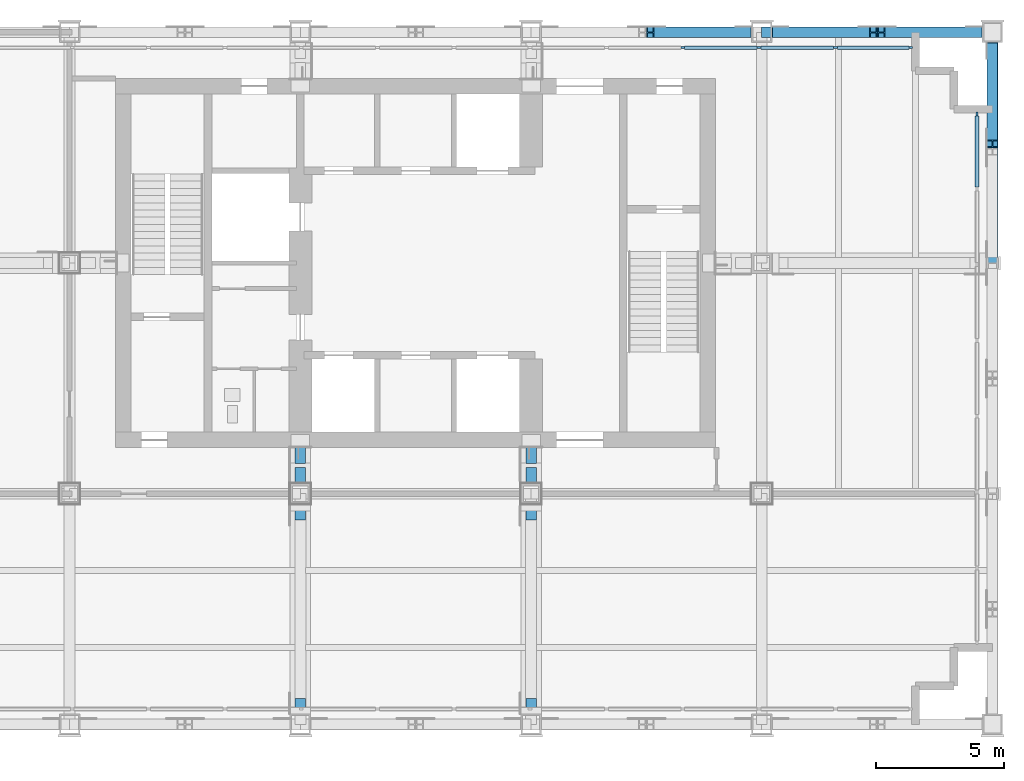
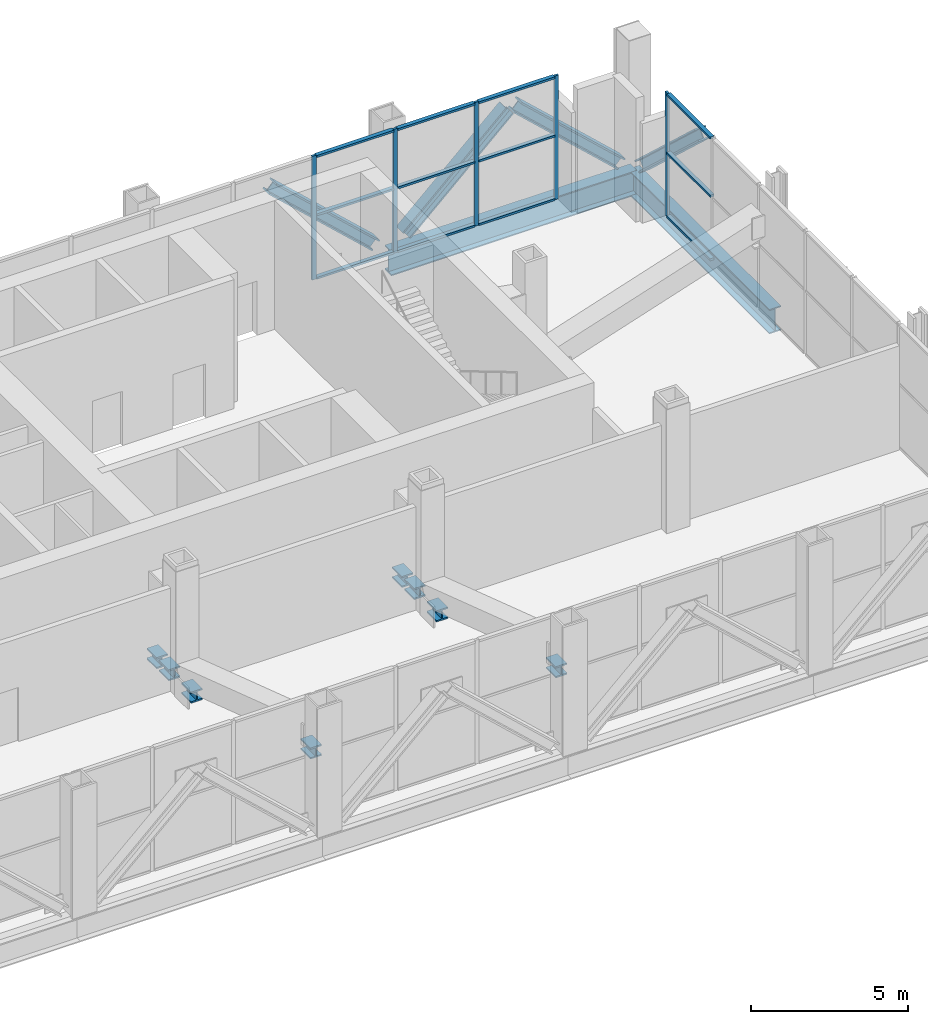
# One storey, part 6 of 13: 29 members, 2 beams, 2 elements without a shape of their own.
"""IFC4 building model written with IfcOpenShell, lengths in metres."""

from ifc_helpers import new_model, si_unit, direction, frame, origin, origin_2d, place, context, subcontext, project, spatial, rectangle, i_section, extrude, material, material_profile, profile_set, type_object, element, aggregate, save


model = new_model("IFC4")

# Units and contexts
model_context = context("Model", 3, precision=1e-05, world=origin(), true_north=direction((0.0, 1.0)))
body_context = subcontext(model_context, "Body", "Model", "MODEL_VIEW")
ifc_project = project(units=[si_unit("LENGTHUNIT", "METRE"), si_unit("AREAUNIT", "SQUARE_METRE"), si_unit("VOLUMEUNIT", "CUBIC_METRE"), si_unit("PLANEANGLEUNIT", "RADIAN"), si_unit("MASSUNIT", "GRAM", prefix="KILO")], contexts=[model_context])

# Site, building, storey
site_placement = place(None, origin())
site = spatial("IfcSite", under=ifc_project, at=site_placement, CompositionType="ELEMENT")
building_placement = place(site_placement, origin())
building = spatial("IfcBuilding", under=site, at=building_placement, Name="Loomwork Tower", CompositionType="ELEMENT")
storey_placement = place(building_placement, frame((0.0, 0.0, 221.60009765625)))
storey = spatial("IfcBuildingStorey", under=building, at=storey_placement, Name="L61", CompositionType="ELEMENT", Elevation=221.60009765625)

# Beams
ifc_material_1 = material(Name="Steel ASTM A992", Category="steel")
ifc_material_profile_1 = material_profile(ifc_material_1, i_section(OverallWidth=0.424072265625, OverallDepth=0.947509765625, WebThickness=0.02392578125, FlangeThickness=0.042724609375, at=origin_2d()), Name="W36x302")
ifc_profile_set_1 = profile_set([ifc_material_profile_1], Name="Steel ASTM A992")
beam_type = type_object("IfcBeamType", Name="BELT CHORD SPANDREL W36x302", PredefinedType="SPANDREL", material=ifc_profile_set_1)
for number, where, z_axis, x_axis, name in (
    (1, (36.0, 27.0, -0.723876953125), (1.0, 0.0, 0.0), (0.0, 1.0, 0.0), "Belt Chord Spandrel G/6-G/7 L61"),
    (2, (45.0, 18.0, -0.723876953125), (0.0, 1.0, 0.0), (-1.0, 0.0, 0.0), "Belt Chord Spandrel F/7-G/7 L61"),
):
    element("IfcBeam", number, at=place(storey_placement, frame(where, z_axis=z_axis, x_axis=x_axis)), inside=storey, type_object=beam_type, Name=name, PredefinedType="SPANDREL", context=body_context, shape_type="SweptSolid", body=[
        extrude(i_section(OverallWidth=0.424072265625, OverallDepth=0.947509765625, WebThickness=0.02392578125, FlangeThickness=0.042724609375, at=origin_2d()), origin(), (0.0, 0.0, 1.0), 9.0),
    ])

# Members
ifc_material_2 = material(Name="Steel ASTM A992", Category="steel")
ifc_material_profile_2 = material_profile(ifc_material_2, i_section(OverallWidth=0.411376953125, OverallDepth=0.434326171875, WebThickness=0.035888671875, FlangeThickness=0.057373046875, at=origin_2d()), Name="W14x311")
ifc_profile_set_2 = profile_set([ifc_material_profile_2], Name="Steel ASTM A992")
member_type_1 = type_object("IfcMemberType", Name="BELT TRUSS DIAGONAL W14x311", PredefinedType="BRACE", material=ifc_profile_set_2)
for number, where, z_axis, x_axis, name in (
    (3, (35.4423828125, 27.0, 0.169189453125), (-0.732985346521, 0.0, 0.680244427971), (0.0, -1.0, 0.0), "Belt truss diagonal G/5-G/6 L61"),
    (4, (36.5576171875, 27.0, 0.169189453125), (0.732985346521, 0.0, 0.680244427971), (0.0, 1.0, 0.0), "Belt truss diagonal G/6-G/7 L61"),
    (5, (44.4423828125, 27.0, 0.169189453125), (-0.732985346521, 0.0, 0.680244427971), (0.0, -1.0, 0.0), "Belt truss diagonal G/6-G/7 L61"),
    (6, (45.0, 26.4423828125, 0.169189453125), (0.0, -0.732985346521, 0.680244427971), (1.0, 0.0, 0.0), "Belt truss diagonal F/7-G/7 L61"),
):
    element("IfcMember", number, at=place(storey_placement, frame(where, z_axis=z_axis, x_axis=x_axis)), inside=storey, type_object=member_type_1, Name=name, PredefinedType="BRACE", context=body_context, shape_type="SweptSolid", body=[
        extrude(i_section(OverallWidth=0.411376953125, OverallDepth=0.434326171875, WebThickness=0.035888671875, FlangeThickness=0.057373046875, at=origin_2d()), origin(), (0.0, 0.0, 1.0), 5.166015625),
    ])

# Curtain wall, member
ifc_material_3 = material(Name="Aluminium louvre frame", Category="aluminium")
curtain_wall_type = type_object("IfcCurtainWallType", Name="Plant floor louvre screen", PredefinedType="NOTDEFINED", material=ifc_material_3)
curtain_wall_1_placement = place(storey_placement, origin())
curtain_wall_1 = element("IfcCurtainWall", 7, at=curtain_wall_1_placement, inside=storey, type_object=curtain_wall_type, Name="Plant floor louvre screen cw/E", PredefinedType="NOTDEFINED")
ifc_material_4 = material(Name="Aluminium louvre frame", Category="aluminium")
ifc_material_profile_3 = material_profile(ifc_material_4, rectangle(XDim=0.080078125, YDim=0.14990234375, at=origin_2d()), Name="AL 80x150")
ifc_profile_set_3 = profile_set([ifc_material_profile_3], Name="Aluminium louvre frame")
member_type_2 = type_object("IfcMemberType", Name="Plant floor louvre screen mullion", PredefinedType="MULLION", material=ifc_profile_set_3)
member_1_placement = place(storey_placement, frame((44.39990234375, 23.81005859375, 0.0), z_axis=(0.0, 0.0, 1.0), x_axis=(-1.0, 0.0, 0.0)))
member_1 = element("IfcMember", 8, at=member_1_placement, type_object=member_type_2, Name="CW4 mullion 8", PredefinedType="MULLION", context=body_context, shape_type="SweptSolid", body=[
    extrude(rectangle(XDim=0.080078125, YDim=0.14990234375, at=origin_2d()), origin(), (0.0, 0.0, 1.0), 4.7998046875),
])

# Curtain wall, members
curtain_wall_2_placement = place(storey_placement, origin())
curtain_wall_2 = element("IfcCurtainWall", 9, at=curtain_wall_2_placement, inside=storey, type_object=curtain_wall_type, Name="Plant floor louvre screen cw/N", PredefinedType="NOTDEFINED")
member_2_placement = place(storey_placement, frame((41.81005859375, 26.39990234375, 0.0), z_axis=(0.0, 0.0, 1.0), x_axis=(0.0, -1.0, 0.0)))
member_2 = element("IfcMember", 10, at=member_2_placement, type_object=member_type_2, Name="CW4 mullion 1", PredefinedType="MULLION", context=body_context, shape_type="SweptSolid", body=[
    extrude(rectangle(XDim=0.080078125, YDim=0.14990234375, at=origin_2d()), origin(), (0.0, 0.0, 1.0), 4.7998046875),
])
member_3_placement = place(storey_placement, frame((38.873046875, 26.39990234375, 0.0), z_axis=(0.0, 0.0, 1.0), x_axis=(0.0, -1.0, 0.0)))
member_3 = element("IfcMember", 11, at=member_3_placement, type_object=member_type_2, Name="CW4 mullion 2", PredefinedType="MULLION", context=body_context, shape_type="SweptSolid", body=[
    extrude(rectangle(XDim=0.080078125, YDim=0.14990234375, at=origin_2d()), origin(), (0.0, 0.0, 1.0), 4.7998046875),
])
member_4_placement = place(storey_placement, frame((35.896240234375, 26.39990234375, 0.0), z_axis=(0.0, 0.0, 1.0), x_axis=(0.0, -1.0, 0.0)))
member_4 = element("IfcMember", 12, at=member_4_placement, type_object=member_type_2, Name="CW4 mullion 3", PredefinedType="MULLION", context=body_context, shape_type="SweptSolid", body=[
    extrude(rectangle(XDim=0.080078125, YDim=0.14990234375, at=origin_2d()), origin(), (0.0, 0.0, 1.0), 4.7998046875),
])
member_5_placement = place(storey_placement, frame((32.919189453125, 26.39990234375, 0.0), z_axis=(0.0, 0.0, 1.0), x_axis=(0.0, -1.0, 0.0)))
member_5 = element("IfcMember", 13, at=member_5_placement, type_object=member_type_2, Name="CW4 mullion 4", PredefinedType="MULLION", context=body_context, shape_type="SweptSolid", body=[
    extrude(rectangle(XDim=0.080078125, YDim=0.14990234375, at=origin_2d()), origin(), (0.0, 0.0, 1.0), 4.7998046875),
])

# Member
ifc_material_5 = material(Name="Aluminium louvre frame", Category="aluminium")
ifc_material_profile_4 = material_profile(ifc_material_5, rectangle(XDim=0.14990234375, YDim=0.080078125, at=origin_2d()), Name="AL 80x150")
ifc_profile_set_4 = profile_set([ifc_material_profile_4], Name="Aluminium louvre frame")
member_type_3 = type_object("IfcMemberType", Name="Plant floor louvre screen transom", PredefinedType="USERDEFINED", material=ifc_profile_set_4)
member_6_placement = place(storey_placement, frame((44.39990234375, 20.9677734375, 0.039794921875), z_axis=(0.0, 1.0, 0.0), x_axis=(-1.0, 0.0, 0.0)))
member_6 = element("IfcMember", 14, at=member_6_placement, type_object=member_type_3, Name="CW4 transom 7.1", ObjectType="TRANSOM", PredefinedType="USERDEFINED", context=body_context, shape_type="SweptSolid", body=[
    extrude(rectangle(XDim=0.14990234375, YDim=0.080078125, at=origin_2d()), origin(), (0.0, 0.0, 1.0), 2.767333984375),
])

member_7_placement = place(storey_placement, frame((44.39990234375, 20.9677734375, 2.5), z_axis=(0.0, 1.0, 0.0), x_axis=(-1.0, 0.0, 0.0)))
member_7 = element("IfcMember", 15, at=member_7_placement, type_object=member_type_3, Name="CW4 transom 7.2", ObjectType="TRANSOM", PredefinedType="USERDEFINED", context=body_context, shape_type="SweptSolid", body=[
    extrude(rectangle(XDim=0.14990234375, YDim=0.080078125, at=origin_2d()), origin(), (0.0, 0.0, 1.0), 2.767333984375),
])

member_8_placement = place(storey_placement, frame((44.39990234375, 20.9677734375, 4.760009765625), z_axis=(0.0, 1.0, 0.0), x_axis=(-1.0, 0.0, 0.0)))
member_8 = element("IfcMember", 16, at=member_8_placement, type_object=member_type_3, Name="CW4 transom 7.3", ObjectType="TRANSOM", PredefinedType="USERDEFINED", context=body_context, shape_type="SweptSolid", body=[
    extrude(rectangle(XDim=0.14990234375, YDim=0.080078125, at=origin_2d()), origin(), (0.0, 0.0, 1.0), 2.767333984375),
])

aggregate(curtain_wall_1, [member_1, member_6, member_7, member_8])

member_9_placement = place(storey_placement, frame((41.735107421875, 26.39990234375, 0.039794921875), z_axis=(-1.0, 0.0, 0.0), x_axis=(0.0, -1.0, 0.0)))
member_9 = element("IfcMember", 17, at=member_9_placement, type_object=member_type_3, Name="CW4 transom 1.1", ObjectType="TRANSOM", PredefinedType="USERDEFINED", context=body_context, shape_type="SweptSolid", body=[
    extrude(rectangle(XDim=0.14990234375, YDim=0.080078125, at=origin_2d()), origin(), (0.0, 0.0, 1.0), 2.787109375),
])

member_10_placement = place(storey_placement, frame((41.735107421875, 26.39990234375, 2.5), z_axis=(-1.0, 0.0, 0.0), x_axis=(0.0, -1.0, 0.0)))
member_10 = element("IfcMember", 18, at=member_10_placement, type_object=member_type_3, Name="CW4 transom 1.2", ObjectType="TRANSOM", PredefinedType="USERDEFINED", context=body_context, shape_type="SweptSolid", body=[
    extrude(rectangle(XDim=0.14990234375, YDim=0.080078125, at=origin_2d()), origin(), (0.0, 0.0, 1.0), 2.787109375),
])

member_11_placement = place(storey_placement, frame((41.735107421875, 26.39990234375, 4.760009765625), z_axis=(-1.0, 0.0, 0.0), x_axis=(0.0, -1.0, 0.0)))
member_11 = element("IfcMember", 19, at=member_11_placement, type_object=member_type_3, Name="CW4 transom 1.3", ObjectType="TRANSOM", PredefinedType="USERDEFINED", context=body_context, shape_type="SweptSolid", body=[
    extrude(rectangle(XDim=0.14990234375, YDim=0.080078125, at=origin_2d()), origin(), (0.0, 0.0, 1.0), 2.787109375),
])

member_12_placement = place(storey_placement, frame((38.798095703125, 26.39990234375, 0.039794921875), z_axis=(-1.0, 0.0, 0.0), x_axis=(0.0, -1.0, 0.0)))
member_12 = element("IfcMember", 20, at=member_12_placement, type_object=member_type_3, Name="CW4 transom 2.1", ObjectType="TRANSOM", PredefinedType="USERDEFINED", context=body_context, shape_type="SweptSolid", body=[
    extrude(rectangle(XDim=0.14990234375, YDim=0.080078125, at=origin_2d()), origin(), (0.0, 0.0, 1.0), 2.826904296875),
])

member_13_placement = place(storey_placement, frame((38.798095703125, 26.39990234375, 2.5), z_axis=(-1.0, 0.0, 0.0), x_axis=(0.0, -1.0, 0.0)))
member_13 = element("IfcMember", 21, at=member_13_placement, type_object=member_type_3, Name="CW4 transom 2.2", ObjectType="TRANSOM", PredefinedType="USERDEFINED", context=body_context, shape_type="SweptSolid", body=[
    extrude(rectangle(XDim=0.14990234375, YDim=0.080078125, at=origin_2d()), origin(), (0.0, 0.0, 1.0), 2.826904296875),
])

member_14_placement = place(storey_placement, frame((38.798095703125, 26.39990234375, 4.760009765625), z_axis=(-1.0, 0.0, 0.0), x_axis=(0.0, -1.0, 0.0)))
member_14 = element("IfcMember", 22, at=member_14_placement, type_object=member_type_3, Name="CW4 transom 2.3", ObjectType="TRANSOM", PredefinedType="USERDEFINED", context=body_context, shape_type="SweptSolid", body=[
    extrude(rectangle(XDim=0.14990234375, YDim=0.080078125, at=origin_2d()), origin(), (0.0, 0.0, 1.0), 2.826904296875),
])

member_15_placement = place(storey_placement, frame((35.821044921875, 26.39990234375, 0.039794921875), z_axis=(-1.0, 0.0, 0.0), x_axis=(0.0, -1.0, 0.0)))
member_15 = element("IfcMember", 23, at=member_15_placement, type_object=member_type_3, Name="CW4 transom 3.1", ObjectType="TRANSOM", PredefinedType="USERDEFINED", context=body_context, shape_type="SweptSolid", body=[
    extrude(rectangle(XDim=0.14990234375, YDim=0.080078125, at=origin_2d()), origin(), (0.0, 0.0, 1.0), 2.826904296875),
])

member_16_placement = place(storey_placement, frame((35.821044921875, 26.39990234375, 2.5), z_axis=(-1.0, 0.0, 0.0), x_axis=(0.0, -1.0, 0.0)))
member_16 = element("IfcMember", 24, at=member_16_placement, type_object=member_type_3, Name="CW4 transom 3.2", ObjectType="TRANSOM", PredefinedType="USERDEFINED", context=body_context, shape_type="SweptSolid", body=[
    extrude(rectangle(XDim=0.14990234375, YDim=0.080078125, at=origin_2d()), origin(), (0.0, 0.0, 1.0), 2.826904296875),
])

member_17_placement = place(storey_placement, frame((35.821044921875, 26.39990234375, 4.760009765625), z_axis=(-1.0, 0.0, 0.0), x_axis=(0.0, -1.0, 0.0)))
member_17 = element("IfcMember", 25, at=member_17_placement, type_object=member_type_3, Name="CW4 transom 3.3", ObjectType="TRANSOM", PredefinedType="USERDEFINED", context=body_context, shape_type="SweptSolid", body=[
    extrude(rectangle(XDim=0.14990234375, YDim=0.080078125, at=origin_2d()), origin(), (0.0, 0.0, 1.0), 2.826904296875),
])

aggregate(curtain_wall_2, [member_2, member_3, member_4, member_5, member_9, member_10, member_11, member_12, member_13, member_14, member_15, member_16, member_17])

# Members
ifc_material_6 = material(Name="Steel ASTM A992", Category="steel")
ifc_material_profile_5 = material_profile(ifc_material_6, i_section(OverallWidth=0.411376953125, OverallDepth=0.434326171875, WebThickness=0.035888671875, FlangeThickness=0.057373046875, at=origin_2d()), Name="W14x311")
ifc_profile_set_5 = profile_set([ifc_material_profile_5], Name="Steel ASTM A992")
member_type_4 = type_object("IfcMemberType", Name="OUTRIGGER GUSSET CORBEL W14x311", PredefinedType="STRUT", material=ifc_profile_set_5)
for number, where, z_axis, x_axis, name in (
    (26, (18.0, 0.404052734375, 2.65234375), (0.0, 1.0, 0.0), (-1.0, 0.0, 0.0), "Outrigger upper gusset corbel D/4/0 L61"),
    (27, (18.0, 8.595947265625, 0.22705078125), (0.0, -1.0, 0.0), (1.0, 0.0, 0.0), "Outrigger lower gusset corbel D/4/0 L61"),
    (28, (18.0, 9.404052734375, 0.22900390625), (0.0, 1.0, 0.0), (-1.0, 0.0, 0.0), "Outrigger upper gusset corbel E/4/1 L61"),
    (29, (18.0, 10.7958984375, 0.22705078125), (0.0, -1.0, 0.0), (1.0, 0.0, 0.0), "Outrigger lower gusset corbel E/4/1 L61"),
    (30, (27.0, 0.404052734375, 2.65234375), (0.0, 1.0, 0.0), (-1.0, 0.0, 0.0), "Outrigger upper gusset corbel D/5/0 L61"),
    (31, (27.0, 8.595947265625, 0.22705078125), (0.0, -1.0, 0.0), (1.0, 0.0, 0.0), "Outrigger lower gusset corbel D/5/0 L61"),
    (32, (27.0, 9.404052734375, 0.22900390625), (0.0, 1.0, 0.0), (-1.0, 0.0, 0.0), "Outrigger upper gusset corbel E/5/1 L61"),
    (33, (27.0, 10.7958984375, 0.22705078125), (0.0, -1.0, 0.0), (1.0, 0.0, 0.0), "Outrigger lower gusset corbel E/5/1 L61"),
):
    element("IfcMember", number, at=place(storey_placement, frame(where, z_axis=z_axis, x_axis=x_axis)), inside=storey, type_object=member_type_4, Name=name, PredefinedType="STRUT", context=body_context, shape_type="SweptSolid", body=[
        extrude(i_section(OverallWidth=0.411376953125, OverallDepth=0.434326171875, WebThickness=0.035888671875, FlangeThickness=0.057373046875, at=origin_2d()), origin(), (0.0, 0.0, 1.0), 0.615966796875),
    ])

save(model, "model.ifc")
